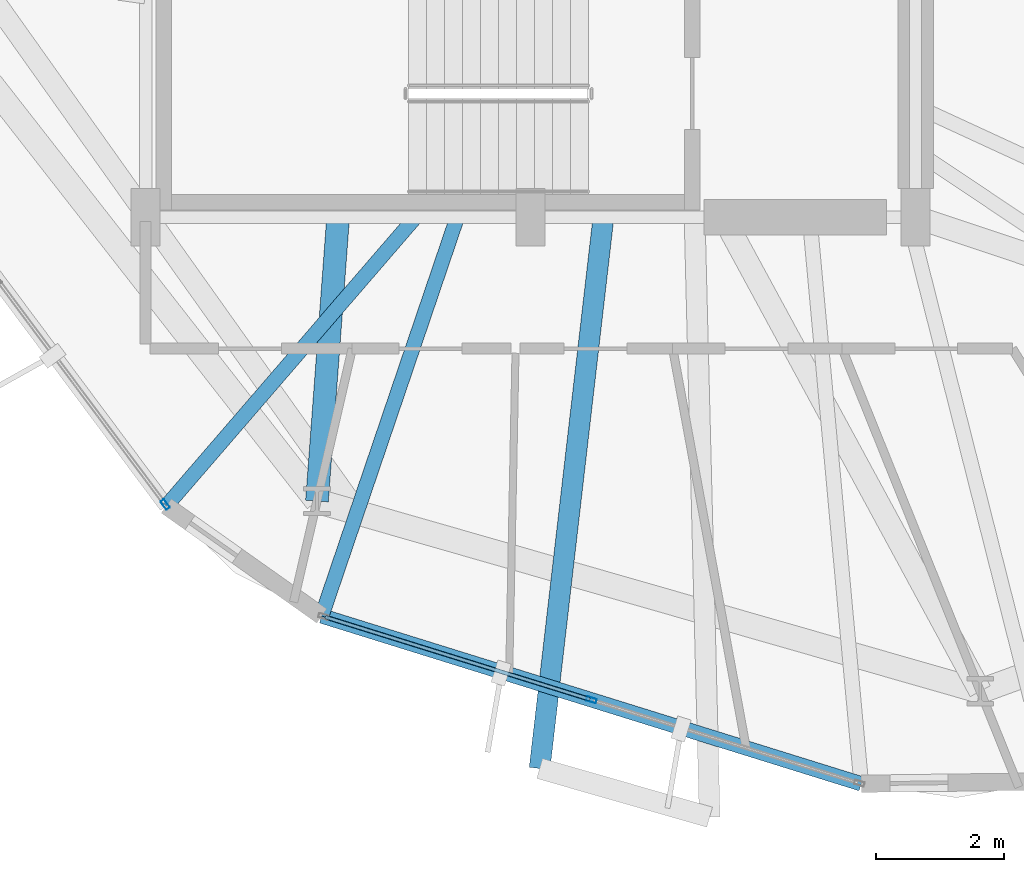
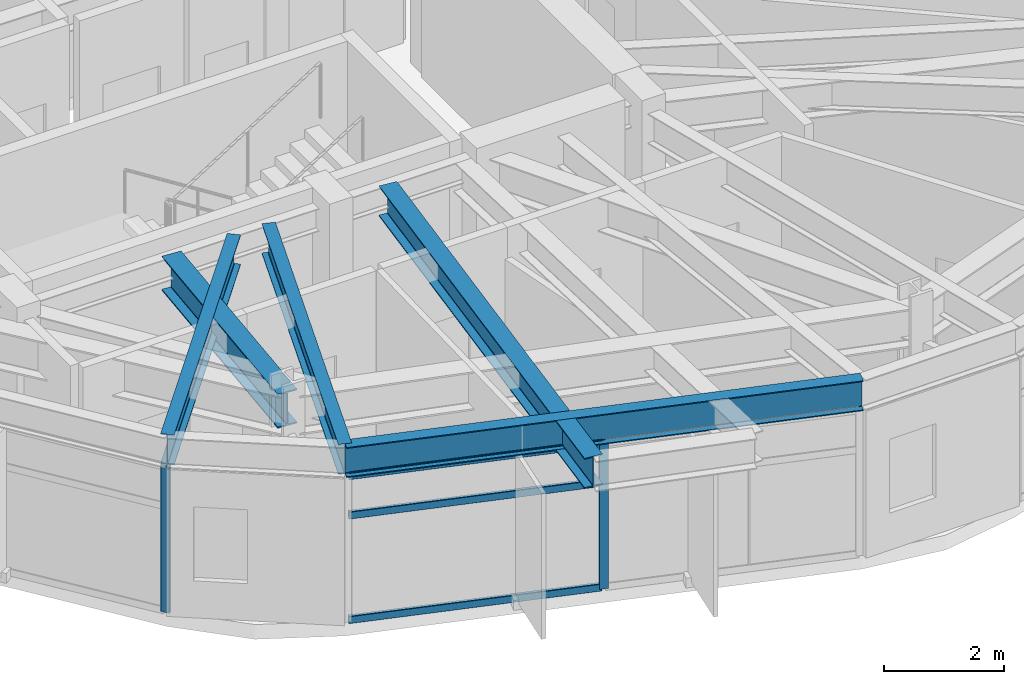
# One storey, part 3 of 25: 5 beams, 5 members, 2 elements without a shape of their own.
"""IFC4 building model written with IfcOpenShell, lengths in metres."""

from ifc_helpers import new_model, si_unit, direction, frame, origin, origin_2d, place, context, subcontext, project, spatial, hollow_rectangle, i_section, extrude, material, layer, layer_set, material_profile, profile_set, type_object, element, aggregate, save


model = new_model("IFC4")

# Units and contexts
model_context = context("Model", 3, precision=1e-05, world=origin(), true_north=direction((0.0, 1.0)))
body_context = subcontext(model_context, "Body", "Model", "MODEL_VIEW")
ifc_project = project(units=[si_unit("LENGTHUNIT", "METRE"), si_unit("AREAUNIT", "SQUARE_METRE"), si_unit("VOLUMEUNIT", "CUBIC_METRE"), si_unit("PLANEANGLEUNIT", "RADIAN"), si_unit("MASSUNIT", "GRAM", prefix="KILO")], contexts=[model_context])

# Site, building, storey
site_placement = place(None, origin())
site = spatial("IfcSite", under=ifc_project, at=site_placement, CompositionType="ELEMENT")
building_placement = place(site_placement, origin())
building = spatial("IfcBuilding", under=site, at=building_placement, Name="Soratama Intermodal Tower", CompositionType="ELEMENT")
storey_placement = place(building_placement, frame((0.0, 0.0, 106.89990234375)))
storey = spatial("IfcBuildingStorey", under=building, at=storey_placement, Name="L25", CompositionType="ELEMENT", Elevation=106.89990234375)

# Beams
ifc_material_1 = material(Name="Structural steel ASTM A992 Grade 50", Category="steel")
ifc_material_profile_1 = material_profile(ifc_material_1, i_section(OverallWidth=0.324951171875, OverallDepth=0.615966796875, WebThickness=0.013916015625, FlangeThickness=0.021484375, FilletRadius=0.013916015625, at=origin_2d()), Name="W24X117")
ifc_profile_set_1 = profile_set([ifc_material_profile_1], Name="Structural steel ASTM A992 Grade 50")
beam_type_1 = type_object("IfcBeamType", Name="BM-CANT-W24X117", PredefinedType="BEAM", material=ifc_profile_set_1)
beam_1_placement = place(storey_placement, frame((39.73095703125, 14.9599609375, 3.2919921875), z_axis=(-0.115092260428, -0.993354806496, 0.0), x_axis=(0.993354806496, -0.115092260428, 0.0)))
element("IfcBeam", 1, at=beam_1_placement, inside=storey, type_object=beam_type_1, Name="BM-L25-CANT-3-1", PredefinedType="BEAM", context=body_context, shape_type="SweptSolid", body=[
    extrude(i_section(OverallWidth=0.324951171875, OverallDepth=0.615966796875, WebThickness=0.013916015625, FlangeThickness=0.021484375, FilletRadius=0.013916015625, at=origin_2d()), origin(), (0.0, 0.0, 1.0), 8.610107421875),
])
ifc_material_2 = material(Name="Structural steel ASTM A992 Grade 50", Category="steel")
ifc_material_profile_2 = material_profile(ifc_material_2, i_section(OverallWidth=0.35498046875, OverallDepth=0.695068359375, WebThickness=0.015380859375, FlangeThickness=0.02490234375, FilletRadius=0.01611328125, at=origin_2d()), Name="W27X146")
ifc_profile_set_2 = profile_set([ifc_material_profile_2], Name="Structural steel ASTM A992 Grade 50")
beam_type_2 = type_object("IfcBeamType", Name="BM-RING-W27X146", PredefinedType="BEAM", material=ifc_profile_set_2)
beam_2_placement = place(storey_placement, frame((35.60009765625, 15.0, 3.252685546875), z_axis=(-0.074386442563, -0.997229490721, 0.0), x_axis=(0.997229490721, -0.074386442563, 0.0)))
element("IfcBeam", 2, at=beam_2_placement, inside=storey, type_object=beam_type_2, Name="BM-L25-RAD-07", PredefinedType="BEAM", context=body_context, shape_type="SweptSolid", body=[
    extrude(i_section(OverallWidth=0.35498046875, OverallDepth=0.695068359375, WebThickness=0.015380859375, FlangeThickness=0.02490234375, FilletRadius=0.01611328125, at=origin_2d()), origin(), (0.0, 0.0, 1.0), 4.437255859375),
])
ifc_material_3 = material(Name="Structural steel ASTM A992 Grade 50", Category="steel")
ifc_material_profile_3 = material_profile(ifc_material_3, i_section(OverallWidth=0.22900390625, OverallDepth=0.612060546875, WebThickness=0.011962890625, FlangeThickness=0.01953125, FilletRadius=0.012939453125, at=origin_2d()), Name="W24X84")
ifc_profile_set_3 = profile_set([ifc_material_profile_3], Name="Structural steel ASTM A992 Grade 50")
beam_type_3 = type_object("IfcBeamType", Name="BM-SPN-W24X84", PredefinedType="SPANDREL", material=ifc_profile_set_3)
beam_3_placement = place(storey_placement, frame((35.343994140625, 8.783935546875, 3.294189453125), z_axis=(0.954861494479, -0.297051386736, 0.0), x_axis=(0.297051386736, 0.954861494479, 0.0)))
element("IfcBeam", 3, at=beam_3_placement, inside=storey, type_object=beam_type_3, Name="BS-L25-F07", PredefinedType="SPANDREL", context=body_context, shape_type="SweptSolid", body=[
    extrude(i_section(OverallWidth=0.22900390625, OverallDepth=0.612060546875, WebThickness=0.011962890625, FlangeThickness=0.01953125, FilletRadius=0.012939453125, at=origin_2d()), origin(), (0.0, 0.0, 1.0), 8.806396484375),
])
ifc_material_4 = material(Name="Structural steel ASTM A992 Grade 50", Category="steel")
ifc_material_profile_4 = material_profile(ifc_material_4, i_section(OverallWidth=0.22900390625, OverallDepth=0.612060546875, WebThickness=0.011962890625, FlangeThickness=0.01953125, FilletRadius=0.012939453125, at=origin_2d()), Name="W24X84")
ifc_profile_set_4 = profile_set([ifc_material_profile_4], Name="Structural steel ASTM A992 Grade 50")
beam_type_4 = type_object("IfcBeamType", Name="BM-TIE-W24X84", PredefinedType="BEAM", material=ifc_profile_set_4)
beam_4_placement = place(storey_placement, frame((36.781005859375, 14.969970703125, 3.294189453125), z_axis=(-0.653306663201, -0.757093391741, 0.0), x_axis=(0.757093391741, -0.653306663201, 0.0)))
element("IfcBeam", 4, at=beam_4_placement, inside=storey, type_object=beam_type_4, Name="BM-L25-TIE1-06", PredefinedType="BEAM", context=body_context, shape_type="SweptSolid", body=[
    extrude(i_section(OverallWidth=0.22900390625, OverallDepth=0.612060546875, WebThickness=0.011962890625, FlangeThickness=0.01953125, FilletRadius=0.012939453125, at=origin_2d()), origin(), (0.0, 0.0, 1.0), 5.90673828125),
])
beam_5_placement = place(storey_placement, frame((37.444091796875, 14.9619140625, 3.294189453125), z_axis=(-0.32184571771, -0.946792128184, 0.0), x_axis=(0.946792128184, -0.32184571771, 0.0)))
element("IfcBeam", 5, at=beam_5_placement, inside=storey, type_object=beam_type_4, Name="BM-L25-TIE0-07", PredefinedType="BEAM", context=body_context, shape_type="SweptSolid", body=[
    extrude(i_section(OverallWidth=0.22900390625, OverallDepth=0.612060546875, WebThickness=0.011962890625, FlangeThickness=0.01953125, FilletRadius=0.012939453125, at=origin_2d()), origin(), (0.0, 0.0, 1.0), 6.525146484375),
])

# Curtain wall, member
ifc_material_5 = material(Name="Double-glazed aluminium curtain wall", Category="aluminium")
ifc_layer = layer(ifc_material_5, 0.159912109375)
ifc_layer_set = layer_set([ifc_layer], Name="Double-glazed aluminium curtain wall")
curtain_wall_type = type_object("IfcCurtainWallType", Name="CW-SYS-3", PredefinedType="NOTDEFINED", material=ifc_layer_set)
curtain_wall_1_placement = place(storey_placement, origin())
curtain_wall_1 = element("IfcCurtainWall", 6, at=curtain_wall_1_placement, inside=storey, type_object=curtain_wall_type, Name="L25 Faceted Curtain Wall F06", PredefinedType="NOTDEFINED")
ifc_material_6 = material(Name="Anodised aluminium AA 6063-T6", Category="aluminium")
ifc_material_profile_5 = material_profile(ifc_material_6, hollow_rectangle(XDim=0.070068359375, YDim=0.159912109375, WallThickness=0.0048828125, InnerFilletRadius=0.0048828125, OuterFilletRadius=0.010009765625, at=origin_2d()), Name="CWM160X70X5")
ifc_profile_set_5 = profile_set([ifc_material_profile_5], Name="Anodised aluminium AA 6063-T6")
member_type_1 = type_object("IfcMemberType", Name="MT-CWM-3", PredefinedType="MULLION", material=ifc_profile_set_5)
member_1_placement = place(storey_placement, frame((32.904541015625, 10.521728515625, 0.0), z_axis=(0.0, 0.0, 1.0), x_axis=(0.801564290617, 0.597908595027, 0.0)))
member_1 = element("IfcMember", 7, at=member_1_placement, type_object=member_type_1, Name="CW-3 mullion 3", PredefinedType="MULLION", context=body_context, shape_type="SweptSolid", body=[
    extrude(hollow_rectangle(XDim=0.070068359375, YDim=0.159912109375, WallThickness=0.0048828125, InnerFilletRadius=0.0048828125, OuterFilletRadius=0.010009765625, at=origin_2d()), origin(), (0.0, 0.0, 1.0), 2.97900390625),
])
aggregate(curtain_wall_1, [member_1])

# Curtain wall, members
curtain_wall_2_placement = place(storey_placement, origin())
curtain_wall_2 = element("IfcCurtainWall", 8, at=curtain_wall_2_placement, inside=storey, type_object=curtain_wall_type, Name="L25 Faceted Curtain Wall F07", PredefinedType="NOTDEFINED")
member_2_placement = place(storey_placement, frame((39.548828125, 7.4765625, 0.0), z_axis=(0.0, 0.0, 1.0), x_axis=(0.297039174407, 0.954865293572, 0.0)))
member_2 = element("IfcMember", 9, at=member_2_placement, type_object=member_type_1, Name="CW-3 mullion 2", PredefinedType="MULLION", context=body_context, shape_type="SweptSolid", body=[
    extrude(hollow_rectangle(XDim=0.070068359375, YDim=0.159912109375, WallThickness=0.0048828125, InnerFilletRadius=0.0048828125, OuterFilletRadius=0.010009765625, at=origin_2d()), origin(), (0.0, 0.0, 1.0), 2.97900390625),
])
ifc_material_7 = material(Name="Anodised aluminium AA 6063-T6", Category="aluminium")
ifc_material_profile_6 = material_profile(ifc_material_7, hollow_rectangle(XDim=0.06494140625, YDim=0.14990234375, WallThickness=0.0048828125, InnerFilletRadius=0.0048828125, OuterFilletRadius=0.010009765625, at=origin_2d()), Name="CWT150X65X5")
ifc_profile_set_6 = profile_set([ifc_material_profile_6], Name="Anodised aluminium AA 6063-T6")
member_type_2 = type_object("IfcMemberType", Name="TT-CWT-1", PredefinedType="USERDEFINED", material=ifc_profile_set_6)
member_3_placement = place(storey_placement, frame((35.401611328125, 8.7666015625, 0.030029296875), z_axis=(0.954858917128, -0.297059671414, 0.0), x_axis=(0.297059671414, 0.954858917128, 0.0)))
member_3 = element("IfcMember", 10, at=member_3_placement, type_object=member_type_2, Name="CW-3 transom 1.1", ObjectType="TRANSOM", PredefinedType="USERDEFINED", context=body_context, shape_type="SweptSolid", body=[
    extrude(hollow_rectangle(XDim=0.06494140625, YDim=0.14990234375, WallThickness=0.0048828125, InnerFilletRadius=0.0048828125, OuterFilletRadius=0.010009765625, at=origin_2d()), origin(), (0.0, 0.0, 1.0), 4.31298828125),
])
member_4_placement = place(storey_placement, frame((35.401611328125, 8.7666015625, 2.150146484375), z_axis=(0.954858917128, -0.297059671414, 0.0), x_axis=(0.297059671414, 0.954858917128, 0.0)))
member_4 = element("IfcMember", 11, at=member_4_placement, type_object=member_type_2, Name="CW-3 transom 1.2", ObjectType="TRANSOM", PredefinedType="USERDEFINED", context=body_context, shape_type="SweptSolid", body=[
    extrude(hollow_rectangle(XDim=0.06494140625, YDim=0.14990234375, WallThickness=0.0048828125, InnerFilletRadius=0.0048828125, OuterFilletRadius=0.010009765625, at=origin_2d()), origin(), (0.0, 0.0, 1.0), 4.31298828125),
])
member_5_placement = place(storey_placement, frame((35.401611328125, 8.7666015625, 2.94921875), z_axis=(0.954858917128, -0.297059671414, 0.0), x_axis=(0.297059671414, 0.954858917128, 0.0)))
member_5 = element("IfcMember", 12, at=member_5_placement, type_object=member_type_2, Name="CW-3 transom 1.3", ObjectType="TRANSOM", PredefinedType="USERDEFINED", context=body_context, shape_type="SweptSolid", body=[
    extrude(hollow_rectangle(XDim=0.06494140625, YDim=0.14990234375, WallThickness=0.0048828125, InnerFilletRadius=0.0048828125, OuterFilletRadius=0.010009765625, at=origin_2d()), origin(), (0.0, 0.0, 1.0), 4.31298828125),
])
aggregate(curtain_wall_2, [member_2, member_3, member_4, member_5])

save(model, "model.ifc")
